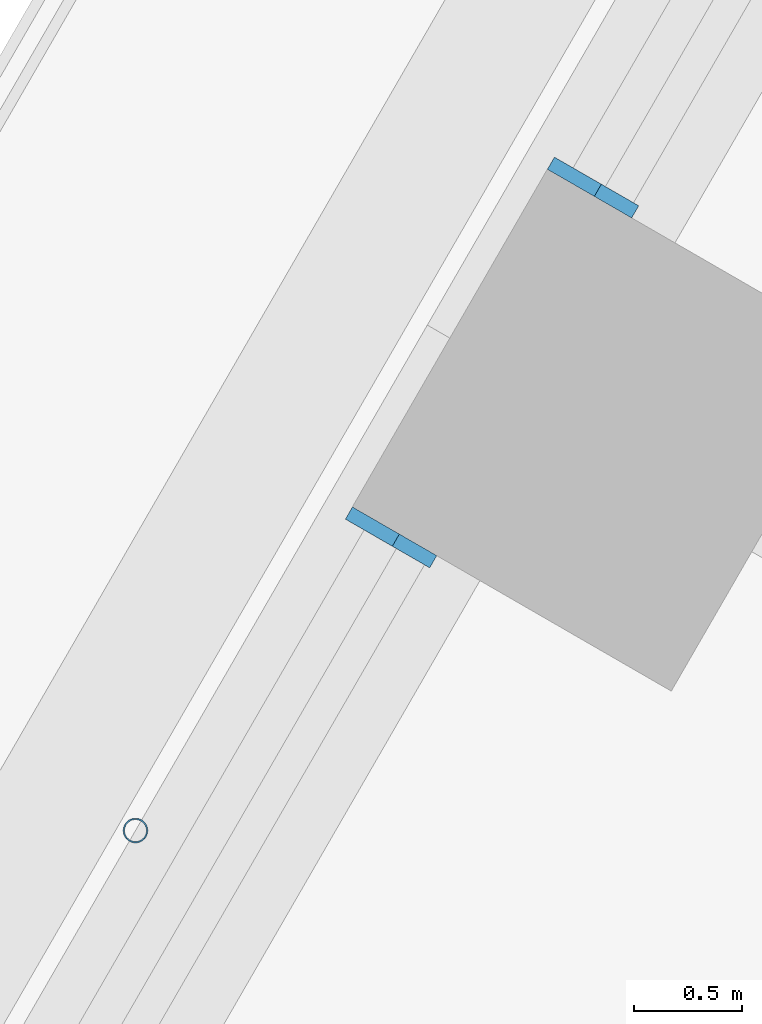
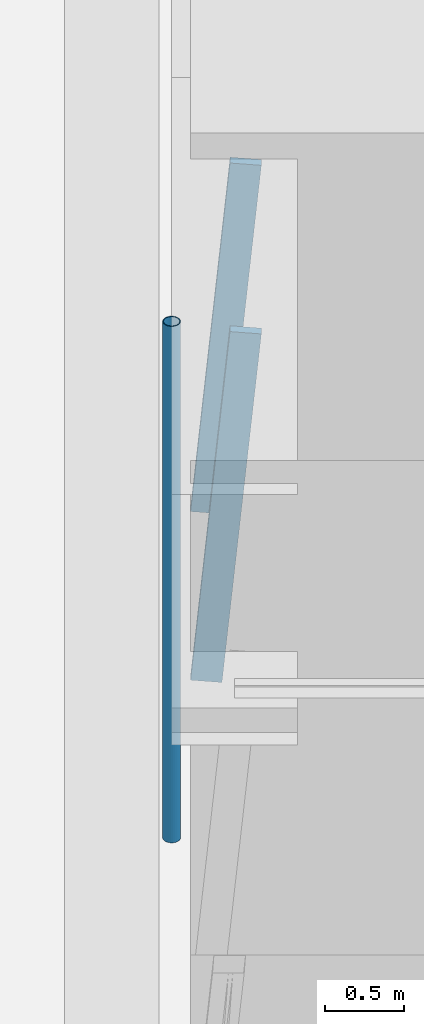
# One storey, part 7 of 23: 3 members, 2 elements without a shape of their own.
"""IFC4 building model written with IfcOpenShell, lengths in metres."""

from ifc_helpers import new_model, si_unit, direction, frame, origin, origin_2d, place, context, subcontext, project, spatial, rectangle, hollow_circle, extrude, material, material_profile, profile_set, type_object, element, aggregate, save


model = new_model("IFC4")

# Units and contexts
model_context = context("Model", 3, precision=1e-05, world=origin(), true_north=direction((0.0, 1.0)))
body_context = subcontext(model_context, "Body", "Model", "MODEL_VIEW")
ifc_project = project(units=[si_unit("LENGTHUNIT", "METRE"), si_unit("AREAUNIT", "SQUARE_METRE"), si_unit("VOLUMEUNIT", "CUBIC_METRE"), si_unit("PLANEANGLEUNIT", "RADIAN"), si_unit("MASSUNIT", "GRAM", prefix="KILO")], contexts=[model_context])

# Site, building, storey
site_placement = place(None, origin())
site = spatial("IfcSite", under=ifc_project, at=site_placement, CompositionType="ELEMENT")
building_placement = place(site_placement, origin())
building = spatial("IfcBuilding", under=site, at=building_placement, Name="Tarfa Lantern Tower", CompositionType="ELEMENT")
storey_placement = place(building_placement, frame((0.0, 0.0, 86.5)))
storey = spatial("IfcBuildingStorey", under=building, at=storey_placement, Name="L19", CompositionType="ELEMENT", Elevation=86.5)

# Curtain wall, member
ifc_material_1 = material(Name="Aluminium framed curtain wall", Category="aluminium")
curtain_wall_type = type_object("IfcCurtainWallType", Name="CW1 CANTED GLAZING LOW ZONE 2700", PredefinedType="USERDEFINED", material=ifc_material_1)
curtain_wall_1_placement = place(storey_placement, origin())
curtain_wall_1 = element("IfcCurtainWall", 1, at=curtain_wall_1_placement, inside=storey, type_object=curtain_wall_type, Name="CW1 NW L19", ObjectType="CURTAIN WALL", PredefinedType="USERDEFINED")
ifc_material_2 = material(Name="Aluminium mullion", Category="aluminium")
ifc_material_profile_1 = material_profile(ifc_material_2, rectangle(XDim=0.06494140625, YDim=0.199951171875, at=origin_2d()), Name="AL MULLION 65x200")
ifc_profile_set_1 = profile_set([ifc_material_profile_1], Name="Aluminium mullion")
member_type_1 = type_object("IfcMemberType", Name="CWM1 MULLION 65x200", PredefinedType="MULLION", material=ifc_profile_set_1)
member_1_placement = place(storey_placement, frame((-31.58642578125, 13.0908203125, 0.0), z_axis=(0.07986442134, -0.046099868913, 0.99573916077), x_axis=(0.499919672301, 0.866071776036, 0.0)))
member_1 = element("IfcMember", 2, at=member_1_placement, type_object=member_type_1, Name="CW1 mullion 2", PredefinedType="MULLION", context=body_context, shape_type="SweptSolid", body=[
    extrude(rectangle(XDim=0.06494140625, YDim=0.199951171875, at=origin_2d()), origin(), (0.0, 0.0, 1.0), 2.71142578125),
])
aggregate(curtain_wall_1, [member_1])

curtain_wall_2_placement = place(storey_placement, origin())
curtain_wall_2 = element("IfcCurtainWall", 3, at=curtain_wall_2_placement, inside=storey, type_object=curtain_wall_type, Name="CW1 NW L19", ObjectType="CURTAIN WALL", PredefinedType="USERDEFINED")
member_2_placement = place(storey_placement, frame((-32.518798828125, 11.475830078125, 0.0), z_axis=(0.07986442134, -0.046099868913, 0.99573916077), x_axis=(0.499919672301, 0.866071776036, 0.0)))
member_2 = element("IfcMember", 4, at=member_2_placement, type_object=member_type_1, Name="CW1 mullion 1", PredefinedType="MULLION", context=body_context, shape_type="SweptSolid", body=[
    extrude(rectangle(XDim=0.06494140625, YDim=0.199951171875, at=origin_2d()), origin(), (0.0, 0.0, 1.0), 2.71142578125),
])
aggregate(curtain_wall_2, [member_2])

# Member
ifc_material_3 = material(Name="Steel S355", Category="steel")
ifc_material_profile_2 = material_profile(ifc_material_3, hollow_circle(Radius=0.05712890625, WallThickness=0.00634765625, at=origin_2d()), Name="CHS114.3x6.3")
ifc_profile_set_2 = profile_set([ifc_material_profile_2], Name="Steel S355")
member_type_2 = type_object("IfcMemberType", Name="TR1 GREEN WALL TRELLIS CHS114.3x6.3", PredefinedType="USERDEFINED", material=ifc_profile_set_2)
member_3_placement = place(storey_placement, frame((-33.59033203125, 10.06005859375, 0.0), z_axis=(0.0, 0.0, 1.0), x_axis=(1.0, 0.0, 0.0)))
element("IfcMember", 5, at=member_3_placement, inside=storey, type_object=member_type_2, Name="Trellis post NW 2", ObjectType="TRELLIS", PredefinedType="USERDEFINED", context=body_context, shape_type="SweptSolid", body=[
    extrude(hollow_circle(Radius=0.05712890625, WallThickness=0.00634765625, at=origin_2d()), origin(), (0.0, 0.0, 1.0), 4.0),
])

save(model, "model.ifc")
